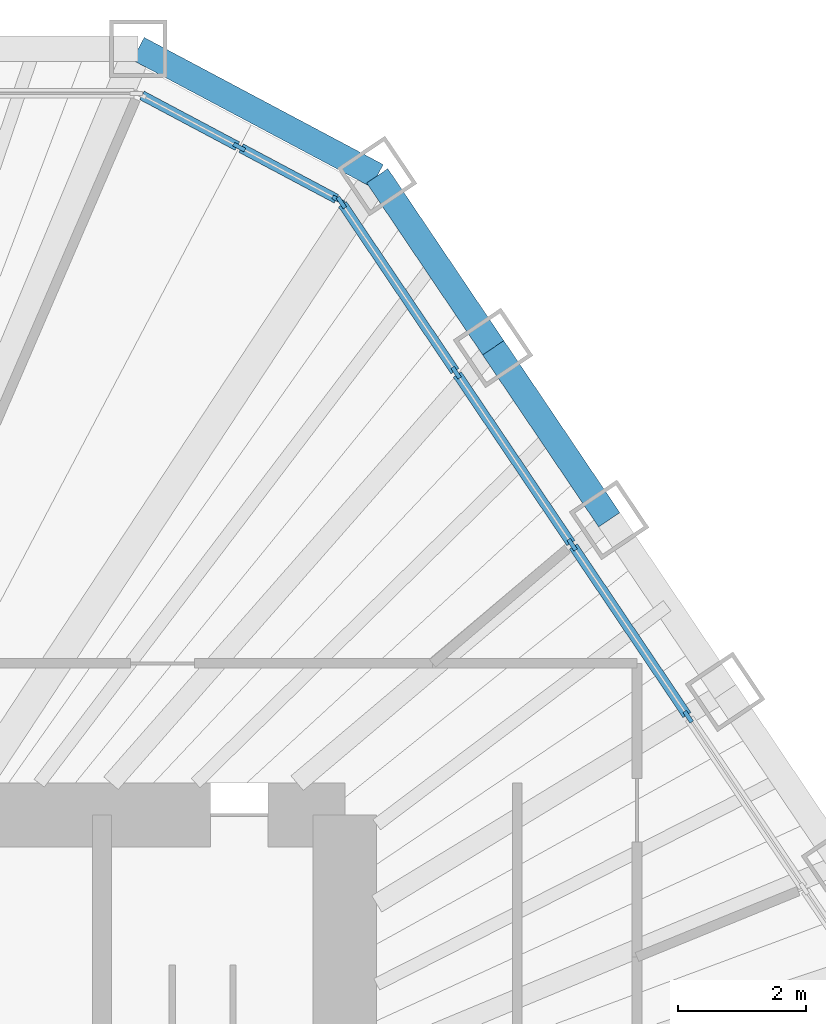
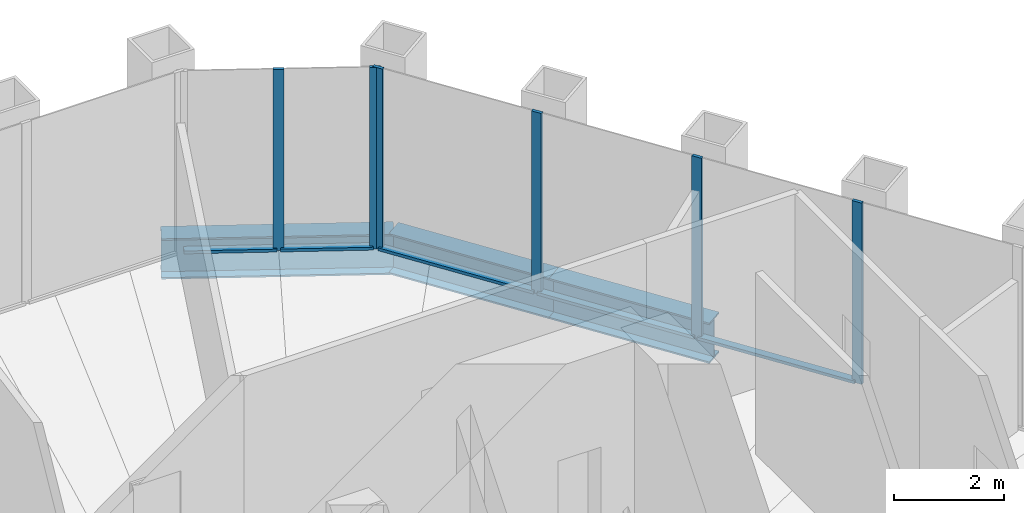
# One storey, part 8 of 14: 11 members, 3 beams, 2 elements without a shape of their own.
"""IFC4 building model written with IfcOpenShell, lengths in metres."""

from ifc_helpers import new_model, si_unit, direction, frame, origin, origin_2d, place, context, subcontext, project, spatial, rectangle, i_section, extrude, material, material_profile, profile_set, type_object, element, aggregate, save


model = new_model("IFC4")

# Units and contexts
model_context = context("Model", 3, precision=1e-05, world=origin(), true_north=direction((0.0, 1.0)))
body_context = subcontext(model_context, "Body", "Model", "MODEL_VIEW")
ifc_project = project(units=[si_unit("LENGTHUNIT", "METRE"), si_unit("AREAUNIT", "SQUARE_METRE"), si_unit("VOLUMEUNIT", "CUBIC_METRE"), si_unit("PLANEANGLEUNIT", "RADIAN"), si_unit("MASSUNIT", "GRAM", prefix="KILO")], contexts=[model_context])

# Site, building, storey
site_placement = place(None, origin())
site = spatial("IfcSite", under=ifc_project, at=site_placement, CompositionType="ELEMENT")
building_placement = place(site_placement, origin())
building = spatial("IfcBuilding", under=site, at=building_placement, Name="Qingtian Harvest Tower", CompositionType="ELEMENT")
storey_placement = place(building_placement, frame((0.0, 0.0, 278.800048828125)))
storey = spatial("IfcBuildingStorey", under=building, at=storey_placement, Name="L61", CompositionType="ELEMENT", Elevation=278.800048828125)

# Curtain wall, members
ifc_material_1 = material(Name="Bronze-anodised aluminium curtain wall", Category="aluminium")
curtain_wall_type = type_object("IfcCurtainWallType", Name="Curtain wall CW5 upper office", PredefinedType="USERDEFINED", material=ifc_material_1)
curtain_wall_1_placement = place(storey_placement, origin())
curtain_wall_1 = element("IfcCurtainWall", 1, at=curtain_wall_1_placement, inside=storey, type_object=curtain_wall_type, Name="Curtain wall CW5 L61 NC", ObjectType="RECESSED CURTAIN WALL", PredefinedType="USERDEFINED")
ifc_material_2 = material(Name="Bronze-anodised aluminium mullion", Category="aluminium")
ifc_material_profile_1 = material_profile(ifc_material_2, rectangle(XDim=0.06494140625, YDim=0.199951171875, at=origin_2d()), Name="AL 65x200")
ifc_profile_set_1 = profile_set([ifc_material_profile_1], Name="Bronze-anodised aluminium mullion")
member_type_1 = type_object("IfcMemberType", Name="Mullion CWM 65x200", PredefinedType="MULLION", material=ifc_profile_set_1)
member_1_placement = place(storey_placement, frame((10.3466796875, 19.45947265625, 0.0), z_axis=(0.0, 0.0, 1.0), x_axis=(0.469471562786, 0.882947592859, 0.0)))
member_1 = element("IfcMember", 2, at=member_1_placement, type_object=member_type_1, Name="CW5 mullion 2", PredefinedType="MULLION", context=body_context, shape_type="SweptSolid", body=[
    extrude(rectangle(XDim=0.06494140625, YDim=0.199951171875, at=origin_2d()), origin(), (0.0, 0.0, 1.0), 4.030029296875),
])
member_2_placement = place(storey_placement, frame((11.89892578125, 18.634033203125, 0.0), z_axis=(0.0, 0.0, 1.0), x_axis=(0.469471562786, 0.882947592859, 0.0)))
member_2 = element("IfcMember", 3, at=member_2_placement, type_object=member_type_1, Name="CW5 mullion 3", PredefinedType="MULLION", context=body_context, shape_type="SweptSolid", body=[
    extrude(rectangle(XDim=0.06494140625, YDim=0.199951171875, at=origin_2d()), origin(), (0.0, 0.0, 1.0), 4.030029296875),
])

curtain_wall_2_placement = place(storey_placement, origin())
curtain_wall_2 = element("IfcCurtainWall", 4, at=curtain_wall_2_placement, inside=storey, type_object=curtain_wall_type, Name="Curtain wall CW5 L61 NE0-5", ObjectType="RECESSED CURTAIN WALL", PredefinedType="USERDEFINED")
member_3_placement = place(storey_placement, frame((11.94580078125, 18.592041015625, 0.0), z_axis=(0.0, 0.0, 1.0), x_axis=(0.829037572555, 0.559192903471, 0.0)))
member_3 = element("IfcMember", 5, at=member_3_placement, type_object=member_type_1, Name="CW5 mullion 1", PredefinedType="MULLION", context=body_context, shape_type="SweptSolid", body=[
    extrude(rectangle(XDim=0.06494140625, YDim=0.199951171875, at=origin_2d()), origin(), (0.0, 0.0, 1.0), 4.030029296875),
])
member_4_placement = place(storey_placement, frame((13.743896484375, 15.926025390625, 0.0), z_axis=(0.0, 0.0, 1.0), x_axis=(0.829037572555, 0.559192903471, 0.0)))
member_4 = element("IfcMember", 6, at=member_4_placement, type_object=member_type_1, Name="CW5 mullion 2", PredefinedType="MULLION", context=body_context, shape_type="SweptSolid", body=[
    extrude(rectangle(XDim=0.06494140625, YDim=0.199951171875, at=origin_2d()), origin(), (0.0, 0.0, 1.0), 4.030029296875),
])
member_5_placement = place(storey_placement, frame((15.56005859375, 13.2333984375, 0.0), z_axis=(0.0, 0.0, 1.0), x_axis=(0.829037572555, 0.559192903471, 0.0)))
member_5 = element("IfcMember", 7, at=member_5_placement, type_object=member_type_1, Name="CW5 mullion 3", PredefinedType="MULLION", context=body_context, shape_type="SweptSolid", body=[
    extrude(rectangle(XDim=0.06494140625, YDim=0.199951171875, at=origin_2d()), origin(), (0.0, 0.0, 1.0), 4.030029296875),
])
member_6_placement = place(storey_placement, frame((17.37646484375, 10.540771484375, 0.0), z_axis=(0.0, 0.0, 1.0), x_axis=(0.829037572555, 0.559192903471, 0.0)))
member_6 = element("IfcMember", 8, at=member_6_placement, type_object=member_type_1, Name="CW5 mullion 4", PredefinedType="MULLION", context=body_context, shape_type="SweptSolid", body=[
    extrude(rectangle(XDim=0.06494140625, YDim=0.199951171875, at=origin_2d()), origin(), (0.0, 0.0, 1.0), 4.030029296875),
])

# Beams
ifc_material_3 = material(Name="Steel SN490B", Category="steel")
ifc_material_profile_2 = material_profile(ifc_material_3, i_section(OverallWidth=0.39990234375, OverallDepth=0.89990234375, WebThickness=0.01904296875, FlangeThickness=0.035888671875, at=origin_2d()), Name="H900x400x19x36")
ifc_profile_set_2 = profile_set([ifc_material_profile_2], Name="Steel SN490B")
beam_type = type_object("IfcBeamType", Name="Spandrel beam SB4 H900x400x19x36", PredefinedType="SPANDREL", material=ifc_profile_set_2)
beam_1_placement = place(storey_placement, frame((8.765869140625, 21.0, -0.449951171875), z_axis=(0.882948599748, -0.469469669099, 0.0), x_axis=(0.469469669099, 0.882948599748, 0.0)))
element("IfcBeam", 9, at=beam_1_placement, inside=storey, type_object=beam_type, Name="Spandrel SB4 NC", PredefinedType="SPANDREL", context=body_context, shape_type="SweptSolid", body=[
    extrude(i_section(OverallWidth=0.39990234375, OverallDepth=0.89990234375, WebThickness=0.01904296875, FlangeThickness=0.035888671875, at=origin_2d()), origin(), (0.0, 0.0, 1.0), 4.23828125),
])
beam_2_placement = place(storey_placement, frame((12.508056640625, 19.01025390625, -0.449951171875), z_axis=(0.559184924833, -0.829042954158, 0.0), x_axis=(0.829042954158, 0.559184924833, 0.0)))
element("IfcBeam", 10, at=beam_2_placement, inside=storey, type_object=beam_type, Name="Spandrel SB4 NE0", PredefinedType="SPANDREL", context=body_context, shape_type="SweptSolid", body=[
    extrude(i_section(OverallWidth=0.39990234375, OverallDepth=0.89990234375, WebThickness=0.01904296875, FlangeThickness=0.035888671875, at=origin_2d()), origin(), (0.0, 0.0, 1.0), 3.247802734375),
])
beam_3_placement = place(storey_placement, frame((14.32421875, 16.317626953125, -0.449951171875), z_axis=(0.559201740147, -0.829031612073, 0.0), x_axis=(0.829031612073, 0.559201740147, 0.0)))
element("IfcBeam", 11, at=beam_3_placement, inside=storey, type_object=beam_type, Name="Spandrel SB4 NE1", PredefinedType="SPANDREL", context=body_context, shape_type="SweptSolid", body=[
    extrude(i_section(OverallWidth=0.39990234375, OverallDepth=0.89990234375, WebThickness=0.01904296875, FlangeThickness=0.035888671875, at=origin_2d()), origin(), (0.0, 0.0, 1.0), 3.248291015625),
])

# Member
ifc_material_4 = material(Name="Bronze-anodised aluminium transom", Category="aluminium")
ifc_material_profile_3 = material_profile(ifc_material_4, rectangle(XDim=0.14990234375, YDim=0.06494140625, at=origin_2d()), Name="AL 65x150")
ifc_profile_set_3 = profile_set([ifc_material_profile_3], Name="Bronze-anodised aluminium transom")
member_type_2 = type_object("IfcMemberType", Name="Transom CWT 65x150", PredefinedType="USERDEFINED", material=ifc_profile_set_3)
member_7_placement = place(storey_placement, frame((8.8232421875, 20.26953125, 0.032470703125), z_axis=(0.882927080927, -0.469510138086, 0.0), x_axis=(0.469510138086, 0.882927080927, 0.0)))
member_7 = element("IfcMember", 12, at=member_7_placement, type_object=member_type_2, Name="CW5 transom 1.1", ObjectType="TRANSOM", PredefinedType="USERDEFINED", context=body_context, shape_type="SweptSolid", body=[
    extrude(rectangle(XDim=0.14990234375, YDim=0.06494140625, at=origin_2d()), origin(), (0.0, 0.0, 1.0), 1.693115234375),
])

member_8_placement = place(storey_placement, frame((10.37548828125, 19.444091796875, 0.032470703125), z_axis=(0.882986854304, -0.469397715297, 0.0), x_axis=(0.469397715297, 0.882986854304, 0.0)))
member_8 = element("IfcMember", 13, at=member_8_placement, type_object=member_type_2, Name="CW5 transom 2.1", ObjectType="TRANSOM", PredefinedType="USERDEFINED", context=body_context, shape_type="SweptSolid", body=[
    extrude(rectangle(XDim=0.14990234375, YDim=0.06494140625, at=origin_2d()), origin(), (0.0, 0.0, 1.0), 1.69287109375),
])

aggregate(curtain_wall_1, [member_1, member_2, member_7, member_8])

member_9_placement = place(storey_placement, frame((11.9638671875, 18.56494140625, 0.032470703125), z_axis=(0.559251907839, -0.828997770551, 0.0), x_axis=(0.828997770551, 0.559251907839, 0.0)))
member_9 = element("IfcMember", 14, at=member_9_placement, type_object=member_type_2, Name="CW5 transom 1.1", ObjectType="TRANSOM", PredefinedType="USERDEFINED", context=body_context, shape_type="SweptSolid", body=[
    extrude(rectangle(XDim=0.14990234375, YDim=0.06494140625, at=origin_2d()), origin(), (0.0, 0.0, 1.0), 3.150634765625),
])

member_10_placement = place(storey_placement, frame((13.761962890625, 15.899169921875, 0.032470703125), z_axis=(0.55920542009, -0.829029129852, 0.0), x_axis=(0.829029129852, 0.55920542009, 0.0)))
member_10 = element("IfcMember", 15, at=member_10_placement, type_object=member_type_2, Name="CW5 transom 2.1", ObjectType="TRANSOM", PredefinedType="USERDEFINED", context=body_context, shape_type="SweptSolid", body=[
    extrude(rectangle(XDim=0.14990234375, YDim=0.06494140625, at=origin_2d()), origin(), (0.0, 0.0, 1.0), 3.18310546875),
])

member_11_placement = place(storey_placement, frame((15.578369140625, 13.20654296875, 0.032470703125), z_axis=(0.55920542009, -0.829029129852, 0.0), x_axis=(0.829029129852, 0.55920542009, 0.0)))
member_11 = element("IfcMember", 16, at=member_11_placement, type_object=member_type_2, Name="CW5 transom 3.1", ObjectType="TRANSOM", PredefinedType="USERDEFINED", context=body_context, shape_type="SweptSolid", body=[
    extrude(rectangle(XDim=0.14990234375, YDim=0.06494140625, at=origin_2d()), origin(), (0.0, 0.0, 1.0), 3.18310546875),
])

aggregate(curtain_wall_2, [member_3, member_4, member_5, member_6, member_9, member_10, member_11])

save(model, "model.ifc")
